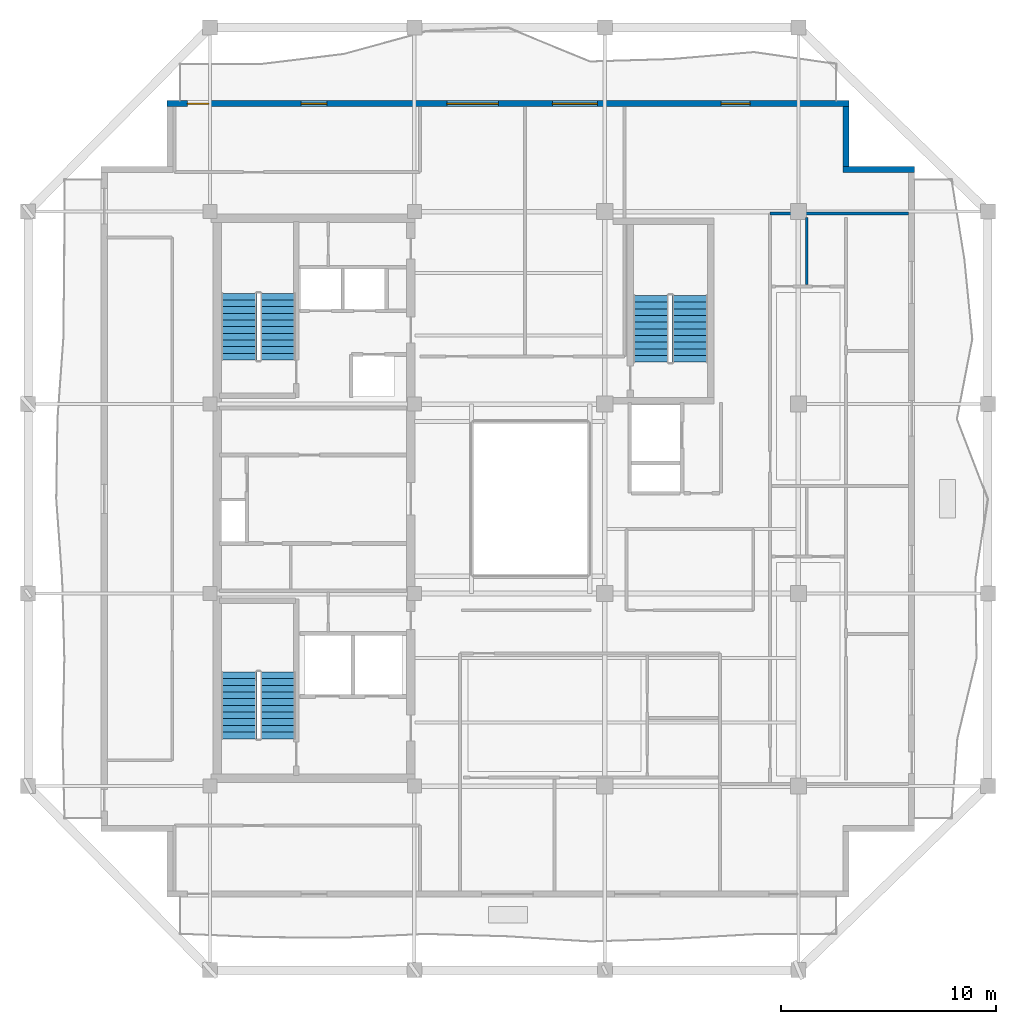
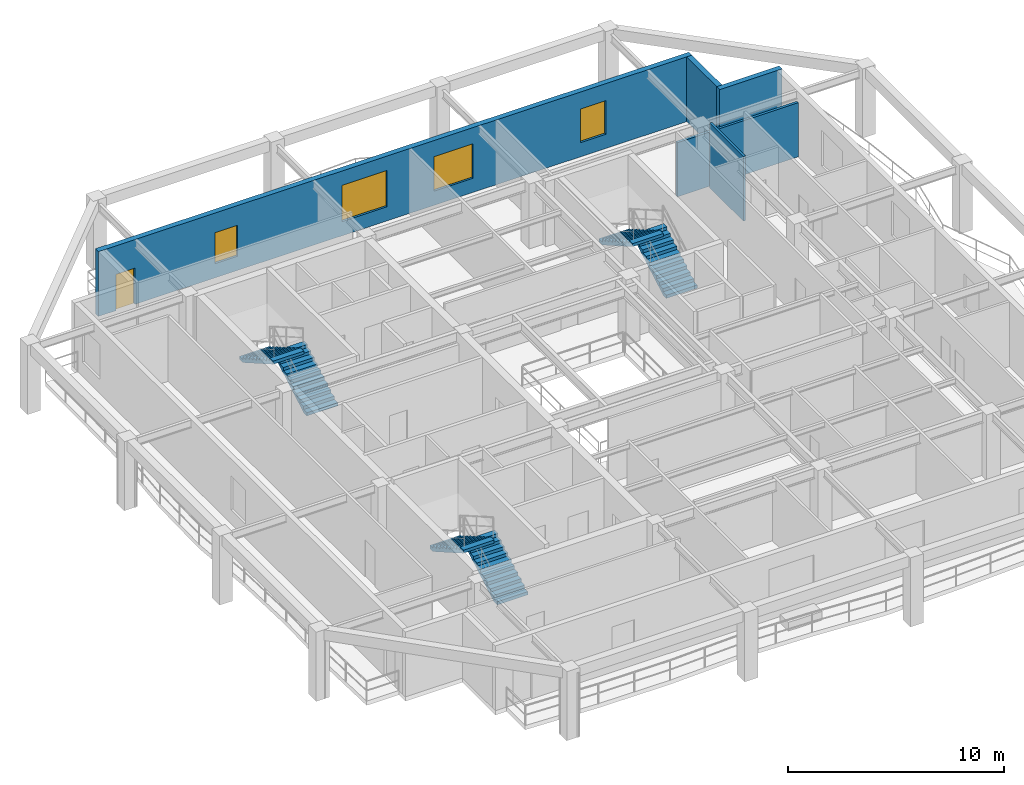
# One storey, part 6 of 10: 6 stair flights, 5 walls, 4 windows, 1 door, 5 openings, 3 elements without a shape of their own.
"""IFC4 building model written with IfcOpenShell, lengths in metres."""

from ifc_helpers import new_model, si_unit, direction, frame, frame_2d, origin, place, context, subcontext, project, spatial, polyline, rectangle, outline, extrude, material, layer, layer_set, type_object, element, fill, aggregate, save


model = new_model("IFC4")

# Units and contexts
model_context = context("Model", 3, precision=1e-05, world=origin(), true_north=direction((0.0, 1.0)))
body_context = subcontext(model_context, "Body", "Model", "MODEL_VIEW")
ifc_project = project(units=[si_unit("LENGTHUNIT", "METRE"), si_unit("AREAUNIT", "SQUARE_METRE"), si_unit("VOLUMEUNIT", "CUBIC_METRE"), si_unit("PLANEANGLEUNIT", "RADIAN"), si_unit("MASSUNIT", "GRAM", prefix="KILO")], contexts=[model_context])

# Site, building, storey
site_placement = place(None, origin())
site = spatial("IfcSite", under=ifc_project, at=site_placement, CompositionType="ELEMENT")
building_placement = place(site_placement, origin())
building = spatial("IfcBuilding", under=site, at=building_placement, Name="Kundavana Baori Tower", CompositionType="ELEMENT")
storey_placement = place(building_placement, frame((0.0, 0.0, 299.89990234375)))
storey = spatial("IfcBuildingStorey", under=building, at=storey_placement, Name="L74", CompositionType="ELEMENT", Elevation=299.89990234375)

# Walls
ifc_material_1 = material(Name="Red-Buff Dholpur Sandstone Cladding on Concrete C40/50", Category="masonry")
ifc_layer_1 = layer(ifc_material_1, 0.280029296875, Name="WL-EXT-SAND-280")
ifc_layer_set_1 = layer_set([ifc_layer_1], Name="Red-Buff Dholpur Sandstone Cladding on Concrete C40/50")
wall_type_1 = type_object("IfcWallType", Name="WL-EXT-SAND-280", PredefinedType="STANDARD", material=ifc_layer_set_1)
wall_1_placement = place(storey_placement, frame((48.199951171875, 43.909912109375, 0.0), z_axis=(0.0, 0.0, 1.0), x_axis=(-1.0, 0.0, 0.0)))
element("IfcWall", 1, at=wall_1_placement, inside=storey, type_object=wall_type_1, Name="L74 Exterior Insulated Facade Wall 05", PredefinedType="STANDARD", context=body_context, shape_type="SweptSolid", body=[
    extrude(rectangle(XDim=3.329833984375, YDim=0.280029296875, at=frame_2d((1.6650390625, 0.0))), origin(), (0.0, 0.0, 1.0), 3.66015625),
])
wall_2_placement = place(storey_placement, frame((45.010009765625, 44.050048828125, 0.0), z_axis=(0.0, 0.0, 1.0), x_axis=(0.0, 1.0, 0.0)))
element("IfcWall", 2, at=wall_2_placement, inside=storey, type_object=wall_type_1, Name="L74 Exterior Insulated Facade Wall 06", PredefinedType="STANDARD", context=body_context, shape_type="SweptSolid", body=[
    extrude(rectangle(XDim=2.77001953125, YDim=0.280029296875, at=frame_2d((1.385009765625, 0.0))), origin(), (0.0, 0.0, 1.0), 3.66015625),
])

# Wall, openings, door, windows
wall_3_placement = place(storey_placement, frame((45.14990234375, 46.9599609375, 0.0), z_axis=(0.0, 0.0, 1.0), x_axis=(-1.0, 0.0, 0.0)))
wall_3 = element("IfcWall", 3, at=wall_3_placement, inside=storey, type_object=wall_type_1, Name="L74 Exterior Insulated Facade Wall 07", PredefinedType="STANDARD", context=body_context, shape_type="SweptSolid", body=[
    extrude(rectangle(XDim=31.699951171875, YDim=0.280029296875, at=frame_2d((15.85009765625, 0.0))), origin(), (0.0, 0.0, 1.0), 3.66015625),
])
opening_1_placement = place(wall_3_placement, frame((29.75, 0.0, 0.0)))
opening_1 = element("IfcOpeningElement", 4, at=opening_1_placement, cuts=wall_3, Name="Opening BD-1", PredefinedType="OPENING", context=body_context, shape_type="SweptSolid", body=[
    extrude(rectangle(XDim=1.0, YDim=2.050048828125, at=frame_2d((0.5, 1.02490234375))), frame((0.0, 0.14990234375, 0.0), z_axis=(0.0, -1.0, 0.0), x_axis=(1.0, 0.0, 0.0)), (0.0, 0.0, 1.0), 0.300048828125),
])
opening_2_placement = place(wall_3_placement, frame((24.264892578125, 0.0, 0.800048828125)))
opening_2 = element("IfcOpeningElement", 5, at=opening_2_placement, cuts=wall_3, Name="Opening W-03", PredefinedType="OPENING", context=body_context, shape_type="SweptSolid", body=[
    extrude(rectangle(XDim=1.199951171875, YDim=1.75, at=frame_2d((0.60009765625, 0.875))), frame((0.0, 0.14990234375, 0.0), z_axis=(0.0, -1.0, 0.0), x_axis=(1.0, 0.0, 0.0)), (0.0, 0.0, 1.0), 0.300048828125),
])
opening_3_placement = place(wall_3_placement, frame((16.2900390625, 0.0, 0.800048828125)))
opening_3 = element("IfcOpeningElement", 6, at=opening_3_placement, cuts=wall_3, Name="Opening W-04", PredefinedType="OPENING", context=body_context, shape_type="SweptSolid", body=[
    extrude(rectangle(XDim=2.39990234375, YDim=2.050048828125, at=frame_2d((1.199951171875, 1.02490234375))), frame((0.0, 0.14990234375, 0.0), z_axis=(0.0, -1.0, 0.0), x_axis=(1.0, 0.0, 0.0)), (0.0, 0.0, 1.0), 0.300048828125),
])
opening_4_placement = place(wall_3_placement, frame((11.68994140625, 0.0, 0.800048828125)))
opening_4 = element("IfcOpeningElement", 7, at=opening_4_placement, cuts=wall_3, Name="Opening W-05", PredefinedType="OPENING", context=body_context, shape_type="SweptSolid", body=[
    extrude(rectangle(XDim=2.10009765625, YDim=1.949951171875, at=frame_2d((1.050048828125, 0.97509765625))), frame((0.0, 0.14990234375, 0.0), z_axis=(0.0, -1.0, 0.0), x_axis=(1.0, 0.0, 0.0)), (0.0, 0.0, 1.0), 0.300048828125),
])
opening_5_placement = place(wall_3_placement, frame((4.594970703125, 0.0, 0.800048828125)))
opening_5 = element("IfcOpeningElement", 8, at=opening_5_placement, cuts=wall_3, Name="Opening W-07", PredefinedType="OPENING", context=body_context, shape_type="SweptSolid", body=[
    extrude(rectangle(XDim=1.35009765625, YDim=1.89990234375, at=frame_2d((0.675048828125, 0.949951171875))), frame((0.0, 0.14990234375, 0.0), z_axis=(0.0, -1.0, 0.0), x_axis=(1.0, 0.0, 0.0)), (0.0, 0.0, 1.0), 0.300048828125),
])
ifc_material_2 = material(Name="Architectural Patinated Bronze Metalwork")
door_type = type_object("IfcDoorType", Name="DR-EXT-LOG-1000", OperationType="NOTDEFINED", PredefinedType="DOOR", material=ifc_material_2)
door_placement = place(opening_1_placement, frame((1.0, 0.0, 0.0), z_axis=(0.0, 0.0, 1.0), x_axis=(-1.0, 0.0, 0.0)))
door = element("IfcDoor", 9, at=door_placement, inside=storey, type_object=door_type, Name="L74 Loggia Balcony Access Door N", OperationType="SINGLE_SWING_LEFT", OverallHeight=2.050048828125, OverallWidth=1.0, PredefinedType="DOOR", context=body_context, shape_type="SweptSolid", body=[
    extrude(rectangle(XDim=1.0, YDim=2.050048828125, at=frame_2d((0.5, 1.02490234375))), frame((0.0, 0.02490234375, 0.0), z_axis=(0.0, -1.0, 0.0), x_axis=(1.0, 0.0, 0.0)), (0.0, 0.0, 1.0), 0.050048828125),
])
fill(opening_1, door)
ifc_material_3 = material(Name="Double-Glazed Solar-Control Low-E Insulated Glass", Category="glass")
window_type_1 = type_object("IfcWindowType", Name="WIN-LOG-1200x1750", PartitioningType="SINGLE_PANEL", PredefinedType="WINDOW", material=ifc_material_3)
window_1_placement = place(opening_2_placement, origin())
window_1 = element("IfcWindow", 10, at=window_1_placement, inside=storey, type_object=window_type_1, Name="L74 Recessed Loggia Window N-1", OverallHeight=1.75, OverallWidth=1.199951171875, PartitioningType="SINGLE_PANEL", PredefinedType="WINDOW", context=body_context, shape_type="SweptSolid", body=[
    extrude(rectangle(XDim=1.199951171875, YDim=1.75, at=frame_2d((0.60009765625, 0.875))), frame((0.0, 0.030029296875, 0.0), z_axis=(0.0, -1.0, 0.0), x_axis=(1.0, 0.0, 0.0)), (0.0, 0.0, 1.0), 0.06005859375),
])
fill(opening_2, window_1)
ifc_material_4 = material(Name="Double-Glazed Solar-Control Low-E Insulated Glass", Category="glass")
window_type_2 = type_object("IfcWindowType", Name="WIN-LOG-1350x1900", PartitioningType="SINGLE_PANEL", PredefinedType="WINDOW", material=ifc_material_4)
window_2_placement = place(opening_5_placement, origin())
window_2 = element("IfcWindow", 11, at=window_2_placement, inside=storey, type_object=window_type_2, Name="L74 Recessed Loggia Window N-4", OverallHeight=1.89990234375, OverallWidth=1.35009765625, PartitioningType="SINGLE_PANEL", PredefinedType="WINDOW", context=body_context, shape_type="SweptSolid", body=[
    extrude(rectangle(XDim=1.35009765625, YDim=1.89990234375, at=frame_2d((0.675048828125, 0.949951171875))), frame((0.0, 0.030029296875, 0.0), z_axis=(0.0, -1.0, 0.0), x_axis=(1.0, 0.0, 0.0)), (0.0, 0.0, 1.0), 0.06005859375),
])
fill(opening_5, window_2)
ifc_material_5 = material(Name="Double-Glazed Solar-Control Low-E Insulated Glass", Category="glass")
window_type_3 = type_object("IfcWindowType", Name="WIN-LOG-2100x1950", PartitioningType="SINGLE_PANEL", PredefinedType="WINDOW", material=ifc_material_5)
window_3_placement = place(opening_4_placement, origin())
window_3 = element("IfcWindow", 12, at=window_3_placement, inside=storey, type_object=window_type_3, Name="L74 Recessed Loggia Window N-3", OverallHeight=1.949951171875, OverallWidth=2.10009765625, PartitioningType="SINGLE_PANEL", PredefinedType="WINDOW", context=body_context, shape_type="SweptSolid", body=[
    extrude(rectangle(XDim=2.10009765625, YDim=1.949951171875, at=frame_2d((1.050048828125, 0.97509765625))), frame((0.0, 0.030029296875, 0.0), z_axis=(0.0, -1.0, 0.0), x_axis=(1.0, 0.0, 0.0)), (0.0, 0.0, 1.0), 0.06005859375),
])
fill(opening_4, window_3)
ifc_material_6 = material(Name="Double-Glazed Solar-Control Low-E Insulated Glass", Category="glass")
window_type_4 = type_object("IfcWindowType", Name="WIN-LOG-2400x2050", PartitioningType="SINGLE_PANEL", PredefinedType="WINDOW", material=ifc_material_6)
window_4_placement = place(opening_3_placement, origin())
window_4 = element("IfcWindow", 13, at=window_4_placement, inside=storey, type_object=window_type_4, Name="L74 Recessed Loggia Window N-2", OverallHeight=2.050048828125, OverallWidth=2.39990234375, PartitioningType="SINGLE_PANEL", PredefinedType="WINDOW", context=body_context, shape_type="SweptSolid", body=[
    extrude(rectangle(XDim=2.39990234375, YDim=2.050048828125, at=frame_2d((1.199951171875, 1.02490234375))), frame((0.0, 0.030029296875, 0.0), z_axis=(0.0, -1.0, 0.0), x_axis=(1.0, 0.0, 0.0)), (0.0, 0.0, 1.0), 0.06005859375),
])
fill(opening_3, window_4)

# Walls
ifc_material_7 = material(Name="Acoustic Gypsum Plasterboard on Galvanised Steel Studs", Category="steel")
ifc_layer_2 = layer(ifc_material_7, 0.135009765625, Name="WL-PART-135")
ifc_layer_set_2 = layer_set([ifc_layer_2], Name="Acoustic Gypsum Plasterboard on Galvanised Steel Studs")
wall_type_2 = type_object("IfcWallType", Name="WL-PART-135", PredefinedType="PARTITIONING", material=ifc_layer_set_2)
wall_4_placement = place(storey_placement, frame((41.47998046875, 41.85009765625, 0.0), z_axis=(0.0, 0.0, 1.0), x_axis=(1.0, 0.0, 0.0)))
element("IfcWall", 14, at=wall_4_placement, inside=storey, type_object=wall_type_2, Name="WL-L74-REN", PredefinedType="PARTITIONING", context=body_context, shape_type="SweptSolid", body=[
    extrude(rectangle(XDim=6.43994140625, YDim=0.135009765625, at=frame_2d((3.219970703125, 0.0))), origin(), (0.0, 0.0, 1.0), 3.06005859375),
])
ifc_material_8 = material(Name="Autoclaved Aerated Concrete Blockwork Masonry", Category="masonry")
ifc_layer_3 = layer(ifc_material_8, 0.125, Name="WL-WET-120")
ifc_layer_set_3 = layer_set([ifc_layer_3], Name="Autoclaved Aerated Concrete Blockwork Masonry")
wall_type_3 = type_object("IfcWallType", Name="WL-WET-120", PredefinedType="PLUMBINGWALL", material=ifc_layer_set_3)
wall_5_placement = place(storey_placement, frame((43.18505859375, 38.550048828125, 0.0), z_axis=(0.0, 0.0, 1.0), x_axis=(0.0, 1.0, 0.0)))
element("IfcWall", 15, at=wall_5_placement, inside=storey, type_object=wall_type_3, Name="WL-L74-E2-BV", PredefinedType="PLUMBINGWALL", context=body_context, shape_type="SweptSolid", body=[
    extrude(rectangle(XDim=3.119873046875, YDim=0.125, at=frame_2d((1.56005859375, 0.0))), origin(), (0.0, 0.0, 1.0), 3.66015625),
])

# Stair, stair flights
ifc_material_9 = material(Name="Concrete C40/50", Category="concrete")
stair_type = type_object("IfcStairType", Name="STR-DOG-1650", PredefinedType="HALF_TURN_STAIR", material=ifc_material_9)
stair_1_placement = place(storey_placement, origin())
stair_1 = element("IfcStair", 16, at=stair_1_placement, inside=storey, type_object=stair_type, Name="L74 Protected Exit Stair ST1", PredefinedType="HALF_TURN_STAIR")
ifc_material_10 = material(Name="Concrete C40/50", Category="concrete")
stair_flight_type = type_object("IfcStairFlightType", Name="SFL-RC-1650", PredefinedType="STRAIGHT", material=ifc_material_10)
stair_flight_1_placement = place(storey_placement, frame((18.614990234375, 17.449951171875, 0.0), z_axis=(0.0, 0.0, 1.0), x_axis=(0.0, 1.0, 0.0)))
stair_flight_1 = element("IfcStairFlight", 17, at=stair_flight_1_placement, type_object=stair_flight_type, Name="ST1 flight 1", NumberOfRisers=11, NumberOfTreads=10, PredefinedType="STRAIGHT", RiserHeight=0.177272727, TreadLength=0.31, context=body_context, shape_type="SweptSolid", body=[
    extrude(outline(polyline([(0.0, 0.0), (0.0, 0.17724609375), (0.31005859375, 0.17724609375), (0.31005859375, 0.3544921875), (0.6201171875, 0.3544921875), (0.6201171875, 0.53173828125), (0.929931640625, 0.53173828125), (0.929931640625, 0.708984375), (1.239990234375, 0.708984375), (1.239990234375, 0.886474609375), (1.550048828125, 0.886474609375), (1.550048828125, 1.063720703125), (1.860107421875, 1.063720703125), (1.860107421875, 1.240966796875), (2.169921875, 1.240966796875), (2.169921875, 1.418212890625), (2.47998046875, 1.418212890625), (2.47998046875, 1.595458984375), (2.7900390625, 1.595458984375), (2.7900390625, 1.772705078125), (3.10009765625, 1.772705078125), (3.10009765625, 1.949951171875), (3.10009765625, 1.60009765625), (0.302001953125, 0.0), (0.0, 0.0)])), frame((0.0, 0.824951171875, 0.0), z_axis=(0.0, -1.0, 0.0), x_axis=(1.0, 0.0, 0.0)), (0.0, 0.0, 1.0), 1.64990234375),
])
stair_flight_2_placement = place(storey_placement, frame((16.804931640625, 20.550048828125, 1.9501953125), z_axis=(0.0, 0.0, 1.0), x_axis=(0.0, -1.0, 0.0)))
stair_flight_2 = element("IfcStairFlight", 18, at=stair_flight_2_placement, type_object=stair_flight_type, Name="ST1 flight 2", NumberOfRisers=11, NumberOfTreads=10, PredefinedType="STRAIGHT", RiserHeight=0.177272727, TreadLength=0.31, context=body_context, shape_type="SweptSolid", body=[
    extrude(outline(polyline([(0.0, 0.0), (0.0, 0.17724609375), (0.31005859375, 0.17724609375), (0.31005859375, 0.3544921875), (0.6201171875, 0.3544921875), (0.6201171875, 0.53173828125), (0.929931640625, 0.53173828125), (0.929931640625, 0.708984375), (1.239990234375, 0.708984375), (1.239990234375, 0.886474609375), (1.550048828125, 0.886474609375), (1.550048828125, 1.063720703125), (1.860107421875, 1.063720703125), (1.860107421875, 1.240966796875), (2.169921875, 1.240966796875), (2.169921875, 1.418212890625), (2.47998046875, 1.418212890625), (2.47998046875, 1.595458984375), (2.7900390625, 1.595458984375), (2.7900390625, 1.772705078125), (3.10009765625, 1.772705078125), (3.10009765625, 1.949951171875), (3.10009765625, 1.60009765625), (0.302001953125, 0.0), (0.0, 0.0)])), frame((0.0, 0.824951171875, 0.0), z_axis=(0.0, -1.0, 0.0), x_axis=(1.0, 0.0, 0.0)), (0.0, 0.0, 1.0), 1.64990234375),
])
aggregate(stair_1, [stair_flight_1, stair_flight_2])

stair_2_placement = place(storey_placement, origin())
stair_2 = element("IfcStair", 19, at=stair_2_placement, inside=storey, type_object=stair_type, Name="L74 Protected Exit Stair ST2", PredefinedType="HALF_TURN_STAIR")
stair_flight_3_placement = place(storey_placement, frame((18.614990234375, 35.050048828125, 0.0), z_axis=(0.0, 0.0, 1.0), x_axis=(0.0, 1.0, 0.0)))
stair_flight_3 = element("IfcStairFlight", 20, at=stair_flight_3_placement, type_object=stair_flight_type, Name="ST2 flight 1", NumberOfRisers=11, NumberOfTreads=10, PredefinedType="STRAIGHT", RiserHeight=0.177272727, TreadLength=0.31, context=body_context, shape_type="SweptSolid", body=[
    extrude(outline(polyline([(0.0, 0.0), (0.0, 0.17724609375), (0.31005859375, 0.17724609375), (0.31005859375, 0.3544921875), (0.6201171875, 0.3544921875), (0.6201171875, 0.53173828125), (0.929931640625, 0.53173828125), (0.929931640625, 0.708984375), (1.239990234375, 0.708984375), (1.239990234375, 0.886474609375), (1.550048828125, 0.886474609375), (1.550048828125, 1.063720703125), (1.860107421875, 1.063720703125), (1.860107421875, 1.240966796875), (2.169921875, 1.240966796875), (2.169921875, 1.418212890625), (2.47998046875, 1.418212890625), (2.47998046875, 1.595458984375), (2.7900390625, 1.595458984375), (2.7900390625, 1.772705078125), (3.10009765625, 1.772705078125), (3.10009765625, 1.949951171875), (3.10009765625, 1.60009765625), (0.302001953125, 0.0), (0.0, 0.0)])), frame((0.0, 0.824951171875, 0.0), z_axis=(0.0, -1.0, 0.0), x_axis=(1.0, 0.0, 0.0)), (0.0, 0.0, 1.0), 1.64990234375),
])
stair_flight_4_placement = place(storey_placement, frame((16.804931640625, 38.14990234375, 1.9501953125), z_axis=(0.0, 0.0, 1.0), x_axis=(0.0, -1.0, 0.0)))
stair_flight_4 = element("IfcStairFlight", 21, at=stair_flight_4_placement, type_object=stair_flight_type, Name="ST2 flight 2", NumberOfRisers=11, NumberOfTreads=10, PredefinedType="STRAIGHT", RiserHeight=0.177272727, TreadLength=0.31, context=body_context, shape_type="SweptSolid", body=[
    extrude(outline(polyline([(0.0, 0.0), (0.0, 0.17724609375), (0.31005859375, 0.17724609375), (0.31005859375, 0.3544921875), (0.6201171875, 0.3544921875), (0.6201171875, 0.53173828125), (0.929931640625, 0.53173828125), (0.929931640625, 0.708984375), (1.239990234375, 0.708984375), (1.239990234375, 0.886474609375), (1.550048828125, 0.886474609375), (1.550048828125, 1.063720703125), (1.860107421875, 1.063720703125), (1.860107421875, 1.240966796875), (2.169921875, 1.240966796875), (2.169921875, 1.418212890625), (2.47998046875, 1.418212890625), (2.47998046875, 1.595458984375), (2.7900390625, 1.595458984375), (2.7900390625, 1.772705078125), (3.10009765625, 1.772705078125), (3.10009765625, 1.949951171875), (3.10009765625, 1.60009765625), (0.302001953125, 0.0), (0.0, 0.0)])), frame((0.0, 0.824951171875, 0.0), z_axis=(0.0, -1.0, 0.0), x_axis=(1.0, 0.0, 0.0)), (0.0, 0.0, 1.0), 1.64990234375),
])
aggregate(stair_2, [stair_flight_3, stair_flight_4])

stair_3_placement = place(storey_placement, origin())
stair_3 = element("IfcStair", 22, at=stair_3_placement, inside=storey, type_object=stair_type, Name="L74 Protected Exit Stair ST3", PredefinedType="HALF_TURN_STAIR")
stair_flight_5_placement = place(storey_placement, frame((37.7548828125, 34.949951171875, 0.0), z_axis=(0.0, 0.0, 1.0), x_axis=(0.0, 1.0, 0.0)))
stair_flight_5 = element("IfcStairFlight", 23, at=stair_flight_5_placement, type_object=stair_flight_type, Name="ST3 flight 1", NumberOfRisers=11, NumberOfTreads=10, PredefinedType="STRAIGHT", RiserHeight=0.177272727, TreadLength=0.31, context=body_context, shape_type="SweptSolid", body=[
    extrude(outline(polyline([(0.0, 0.0), (0.0, 0.17724609375), (0.31005859375, 0.17724609375), (0.31005859375, 0.3544921875), (0.6201171875, 0.3544921875), (0.6201171875, 0.53173828125), (0.929931640625, 0.53173828125), (0.929931640625, 0.708984375), (1.239990234375, 0.708984375), (1.239990234375, 0.886474609375), (1.550048828125, 0.886474609375), (1.550048828125, 1.063720703125), (1.860107421875, 1.063720703125), (1.860107421875, 1.240966796875), (2.169921875, 1.240966796875), (2.169921875, 1.418212890625), (2.47998046875, 1.418212890625), (2.47998046875, 1.595458984375), (2.7900390625, 1.595458984375), (2.7900390625, 1.772705078125), (3.10009765625, 1.772705078125), (3.10009765625, 1.949951171875), (3.10009765625, 1.60009765625), (0.302001953125, 0.0), (0.0, 0.0)])), frame((0.0, 0.824951171875, 0.0), z_axis=(0.0, -1.0, 0.0), x_axis=(1.0, 0.0, 0.0)), (0.0, 0.0, 1.0), 1.64990234375),
])
stair_flight_6_placement = place(storey_placement, frame((35.945068359375, 38.050048828125, 1.9501953125), z_axis=(0.0, 0.0, 1.0), x_axis=(0.0, -1.0, 0.0)))
stair_flight_6 = element("IfcStairFlight", 24, at=stair_flight_6_placement, type_object=stair_flight_type, Name="ST3 flight 2", NumberOfRisers=11, NumberOfTreads=10, PredefinedType="STRAIGHT", RiserHeight=0.177272727, TreadLength=0.31, context=body_context, shape_type="SweptSolid", body=[
    extrude(outline(polyline([(0.0, 0.0), (0.0, 0.17724609375), (0.31005859375, 0.17724609375), (0.31005859375, 0.3544921875), (0.6201171875, 0.3544921875), (0.6201171875, 0.53173828125), (0.929931640625, 0.53173828125), (0.929931640625, 0.708984375), (1.239990234375, 0.708984375), (1.239990234375, 0.886474609375), (1.550048828125, 0.886474609375), (1.550048828125, 1.063720703125), (1.860107421875, 1.063720703125), (1.860107421875, 1.240966796875), (2.169921875, 1.240966796875), (2.169921875, 1.418212890625), (2.47998046875, 1.418212890625), (2.47998046875, 1.595458984375), (2.7900390625, 1.595458984375), (2.7900390625, 1.772705078125), (3.10009765625, 1.772705078125), (3.10009765625, 1.949951171875), (3.10009765625, 1.60009765625), (0.302001953125, 0.0), (0.0, 0.0)])), frame((0.0, 0.824951171875, 0.0), z_axis=(0.0, -1.0, 0.0), x_axis=(1.0, 0.0, 0.0)), (0.0, 0.0, 1.0), 1.64990234375),
])
aggregate(stair_3, [stair_flight_5, stair_flight_6])

save(model, "model.ifc")
